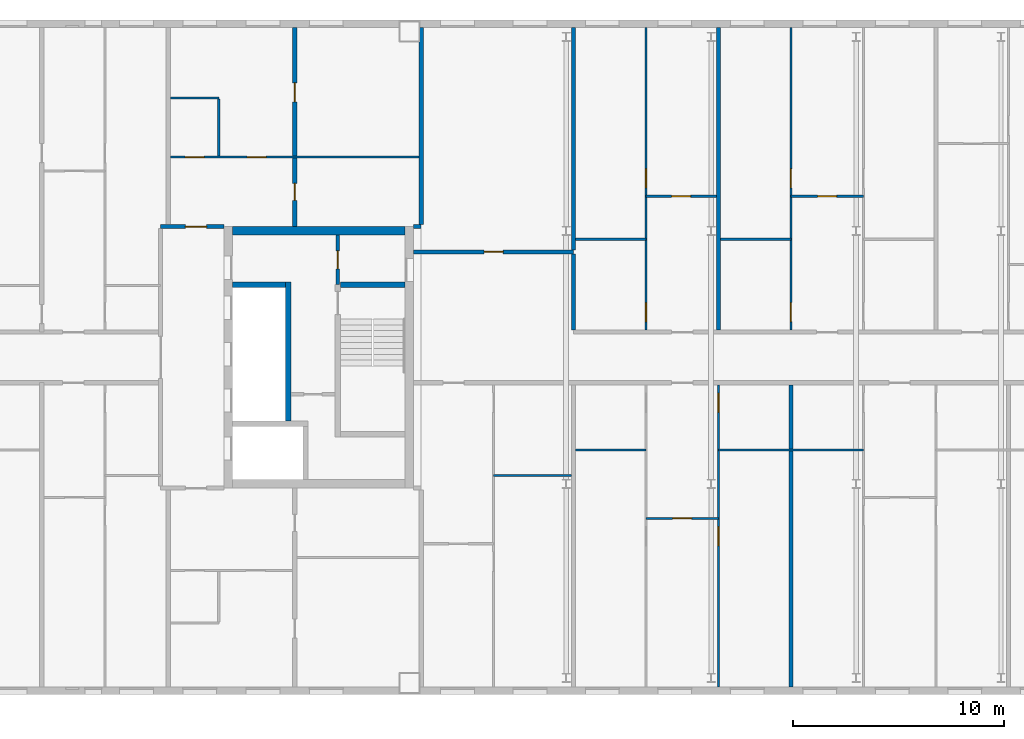
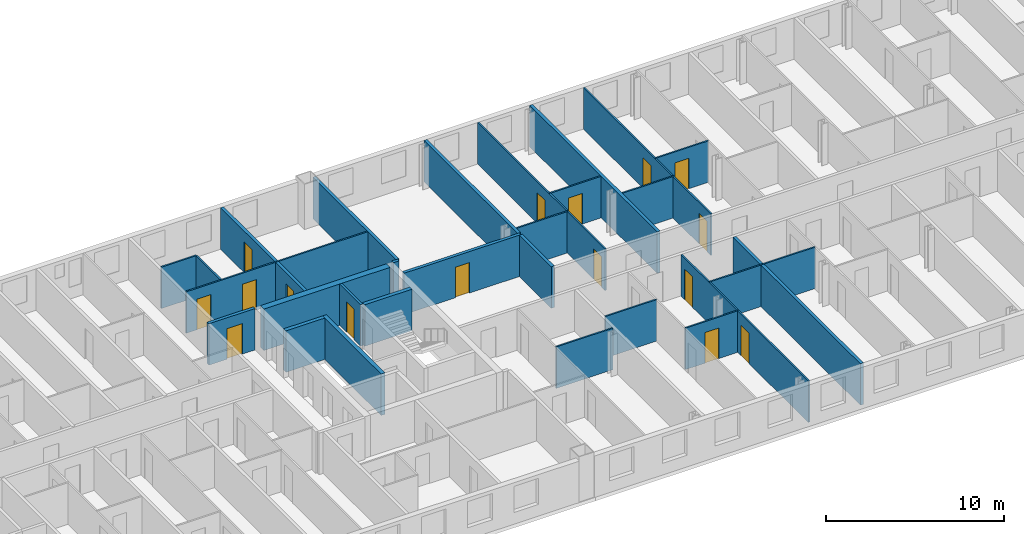
# One storey, part 9 of 19: 28 walls, 16 doors, 16 openings.
"""IFC4 building model written with IfcOpenShell, lengths in metres."""

from ifc_helpers import new_model, si_unit, direction, frame, frame_2d, origin, place, context, subcontext, project, spatial, rectangle, extrude, material, layer, layer_set, type_object, element, fill, save


model = new_model("IFC4")

# Units and contexts
model_context = context("Model", 3, precision=1e-05, world=origin(), true_north=direction((0.0, 1.0)))
body_context = subcontext(model_context, "Body", "Model", "MODEL_VIEW")
ifc_project = project(units=[si_unit("LENGTHUNIT", "METRE"), si_unit("AREAUNIT", "SQUARE_METRE"), si_unit("VOLUMEUNIT", "CUBIC_METRE"), si_unit("PLANEANGLEUNIT", "RADIAN"), si_unit("MASSUNIT", "GRAM", prefix="KILO")], contexts=[model_context])

# Site, building, storey
site_placement = place(None, origin())
site = spatial("IfcSite", under=ifc_project, at=site_placement, CompositionType="ELEMENT")
building_placement = place(site_placement, origin())
building = spatial("IfcBuilding", under=site, at=building_placement, Name="Tuart Gate Housing", CompositionType="ELEMENT")
storey_placement = place(building_placement, frame((0.0, 0.0, 227.60009765625)))
storey = spatial("IfcBuildingStorey", under=building, at=storey_placement, Name="L64", CompositionType="ELEMENT", Elevation=227.60009765625)

# Wall, opening, door
ifc_material_1 = material(Name="Plasterboard partition")
ifc_layer_1 = layer(ifc_material_1, 0.14990234375)
ifc_layer_set_1 = layer_set([ifc_layer_1], Name="Core partition 150")
wall_type_1 = type_object("IfcWallType", Name="Core partition 150", PredefinedType="PARTITIONING", material=ifc_layer_set_1)
wall_1_placement = place(storey_placement, frame((72.0400390625, 73.449951171875, 0.0), z_axis=(0.0, 0.0, 1.0), x_axis=(0.0, 1.0, 0.0)))
wall_1 = element("IfcWall", 1, at=wall_1_placement, inside=storey, type_object=wall_type_1, Name="Core partition AG.9", PredefinedType="PARTITIONING", context=body_context, shape_type="SweptSolid", body=[
    extrude(rectangle(XDim=2.35009765625, YDim=0.14990234375, at=frame_2d((1.175048828125, 0.0))), origin(), (0.0, 0.0, 1.0), 2.849853515625),
])
opening_1_placement = place(wall_1_placement, frame((0.75, 0.0, 0.0)))
opening_1 = element("IfcOpeningElement", 2, at=opening_1_placement, cuts=wall_1, Name="Opening D2297", PredefinedType="OPENING", context=body_context, shape_type="SweptSolid", body=[
    extrude(rectangle(XDim=0.85009765625, YDim=2.10009765625, at=frame_2d((0.425048828125, 1.050048828125))), frame((0.0, 0.0849609375, 0.0), z_axis=(0.0, -1.0, 0.0), x_axis=(1.0, 0.0, 0.0)), (0.0, 0.0, 1.0), 0.169921875),
])
ifc_material_2 = material(Name="Steel fire door", Category="steel")
door_type_1 = type_object("IfcDoorType", Name="Service door 850 x 2100 RH", OperationType="SINGLE_SWING_RIGHT", PredefinedType="DOOR", material=ifc_material_2)
door_1_placement = place(opening_1_placement, frame((0.85009765625, 0.0, 0.0), z_axis=(0.0, 0.0, 1.0), x_axis=(-1.0, 0.0, 0.0)))
door_1 = element("IfcDoor", 3, at=door_1_placement, inside=storey, type_object=door_type_1, Name="Service room door AG.ST", OperationType="SINGLE_SWING_RIGHT", OverallHeight=2.10009765625, OverallWidth=0.85009765625, PredefinedType="DOOR", context=body_context, shape_type="SweptSolid", body=[
    extrude(rectangle(XDim=0.85009765625, YDim=2.10009765625, at=frame_2d((0.425048828125, 1.050048828125))), frame((0.0, 0.025146484375, 0.0), z_axis=(0.0, -1.0, 0.0), x_axis=(1.0, 0.0, 0.0)), (0.0, 0.0, 1.0), 0.050048828125),
])
fill(opening_1, door_1)

# Walls
ifc_material_3 = material(Name="Concrete C40", Category="concrete")
ifc_layer_2 = layer(ifc_material_3, 0.25)
ifc_layer_set_2 = layer_set([ifc_layer_2], Name="Core wall 250 C40")
wall_type_2 = type_object("IfcWallType", Name="Core wall 250 C40", PredefinedType="SHEAR", material=ifc_layer_set_2)
wall_2_placement = place(storey_placement, frame((67.0400390625, 73.449951171875, 0.0), z_axis=(0.0, 0.0, 1.0), x_axis=(1.0, 0.0, 0.0)))
element("IfcWall", 4, at=wall_2_placement, inside=storey, type_object=wall_type_2, Name="Core wall AG.4", PredefinedType="SHEAR", context=body_context, shape_type="SweptSolid", body=[
    extrude(rectangle(XDim=2.52490234375, YDim=0.25, at=frame_2d((1.262451171875, 0.0))), origin(), (0.0, 0.0, 1.0), 2.849853515625),
])
wall_3_placement = place(storey_placement, frame((72.1650390625, 73.449951171875, 0.0), z_axis=(0.0, 0.0, 1.0), x_axis=(1.0, 0.0, 0.0)))
element("IfcWall", 5, at=wall_3_placement, inside=storey, type_object=wall_type_2, Name="Core wall AG.5", PredefinedType="SHEAR", context=body_context, shape_type="SweptSolid", body=[
    extrude(rectangle(XDim=3.074951171875, YDim=0.25, at=frame_2d((1.53759765625, 0.0))), origin(), (0.0, 0.0, 1.0), 2.849853515625),
])
wall_4_placement = place(storey_placement, frame((69.68994140625, 66.97509765625, 0.0), z_axis=(0.0, 0.0, 1.0), x_axis=(0.0, 1.0, 0.0)))
element("IfcWall", 6, at=wall_4_placement, inside=storey, type_object=wall_type_2, Name="Core wall AG.6", PredefinedType="SHEAR", context=body_context, shape_type="SweptSolid", body=[
    extrude(rectangle(XDim=6.599853515625, YDim=0.25, at=frame_2d((3.2998046875, 0.0))), origin(), (0.0, 0.0, 1.0), 2.849853515625),
])
ifc_material_4 = material(Name="Concrete C40", Category="concrete")
ifc_layer_3 = layer(ifc_material_4, 0.39990234375)
ifc_layer_set_3 = layer_set([ifc_layer_3], Name="Core wall 400 C40")
wall_type_3 = type_object("IfcWallType", Name="Core wall 400 C40", PredefinedType="SHEAR", material=ifc_layer_set_3)
wall_5_placement = place(storey_placement, frame((67.0400390625, 76.0, 0.0), z_axis=(0.0, 0.0, 1.0), x_axis=(1.0, 0.0, 0.0)))
element("IfcWall", 7, at=wall_5_placement, inside=storey, type_object=wall_type_3, Name="Core wall AG north", PredefinedType="SHEAR", context=body_context, shape_type="SweptSolid", body=[
    extrude(rectangle(XDim=8.199951171875, YDim=0.39990234375, at=frame_2d((4.10009765625, 0.0))), origin(), (0.0, 0.0, 1.0), 2.849853515625),
])

# Wall, opening, door
ifc_material_5 = material(Name="Concrete masonry 15 MPa", Category="masonry")
ifc_layer_4 = layer(ifc_material_5, 0.199951171875)
ifc_layer_set_4 = layer_set([ifc_layer_4], Name="Corridor wall masonry 200")
wall_type_4 = type_object("IfcWallType", Name="Corridor wall masonry 200", PredefinedType="PARTITIONING", material=ifc_layer_set_4)
wall_6_placement = place(storey_placement, frame((75.639892578125, 75.0, 0.0), z_axis=(0.0, 0.0, 1.0), x_axis=(1.0, 0.0, 0.0)))
wall_6 = element("IfcWall", 8, at=wall_6_placement, inside=storey, type_object=wall_type_4, Name="Corridor wall masonry 200", PredefinedType="PARTITIONING", context=body_context, shape_type="SweptSolid", body=[
    extrude(rectangle(XDim=7.585205078125, YDim=0.199951171875, at=frame_2d((3.79248046875, 0.0))), origin(), (0.0, 0.0, 1.0), 2.849853515625),
])
opening_2_placement = place(wall_6_placement, frame((3.342529296875, 0.0, 0.0)))
opening_2 = element("IfcOpeningElement", 9, at=opening_2_placement, cuts=wall_6, Name="Opening D2352", PredefinedType="OPENING", context=body_context, shape_type="SweptSolid", body=[
    extrude(rectangle(XDim=0.89990234375, YDim=2.10009765625, at=frame_2d((0.449951171875, 1.050048828125))), frame((0.0, 0.10986328125, 0.0), z_axis=(0.0, -1.0, 0.0), x_axis=(1.0, 0.0, 0.0)), (0.0, 0.0, 1.0), 0.219970703125),
])
ifc_material_6 = material(Name="Timber door leaf in steel frame", Category="steel")
door_type_2 = type_object("IfcDoorType", Name="Internal door 900", OperationType="SINGLE_SWING_LEFT", PredefinedType="DOOR", material=ifc_material_6)
door_2_placement = place(opening_2_placement, origin())
door_2 = element("IfcDoor", 10, at=door_2_placement, inside=storey, type_object=door_type_2, Name="Internal door", OperationType="SINGLE_SWING_LEFT", OverallHeight=2.10009765625, OverallWidth=0.89990234375, PredefinedType="DOOR", context=body_context, shape_type="SweptSolid", body=[
    extrude(rectangle(XDim=0.89990234375, YDim=2.10009765625, at=frame_2d((0.449951171875, 1.050048828125))), frame((0.0, 0.02490234375, 0.0), z_axis=(0.0, -1.0, 0.0), x_axis=(1.0, 0.0, 0.0)), (0.0, 0.0, 1.0), 0.050048828125),
])
fill(opening_2, door_2)

# Wall
wall_7_placement = place(storey_placement, frame((83.22509765625, 71.300048828125, 0.0), z_axis=(0.0, 0.0, 1.0), x_axis=(0.0, 1.0, 0.0)))
element("IfcWall", 11, at=wall_7_placement, inside=storey, type_object=wall_type_4, Name="Corridor wall masonry 200", PredefinedType="PARTITIONING", context=body_context, shape_type="SweptSolid", body=[
    extrude(rectangle(XDim=3.599853515625, YDim=0.199951171875, at=frame_2d((1.7998046875, 0.0))), origin(), (0.0, 0.0, 1.0), 2.849853515625),
])

# Wall, opening, door
ifc_material_7 = material(Name="Concrete masonry 15 MPa", Category="masonry")
ifc_layer_5 = layer(ifc_material_7, 0.199951171875)
ifc_layer_set_5 = layer_set([ifc_layer_5], Name="Enclosure wall masonry 200")
wall_type_5 = type_object("IfcWallType", Name="Enclosure wall masonry 200", PredefinedType="PARTITIONING", material=ifc_layer_set_5)
wall_8_placement = place(storey_placement, frame((63.639892578125, 76.199951171875, 0.0), z_axis=(0.0, 0.0, 1.0), x_axis=(1.0, 0.0, 0.0)))
wall_8 = element("IfcWall", 12, at=wall_8_placement, inside=storey, type_object=wall_type_5, Name="Enclosure wall masonry 200", PredefinedType="PARTITIONING", context=body_context, shape_type="SweptSolid", body=[
    extrude(rectangle(XDim=3.0, YDim=0.199951171875, at=frame_2d((1.5, 0.0))), origin(), (0.0, 0.0, 1.0), 2.849853515625),
])
opening_3_placement = place(wall_8_placement, frame((1.179931640625, 0.0, 0.0)))
opening_3 = element("IfcOpeningElement", 13, at=opening_3_placement, cuts=wall_8, Name="Opening D2296", PredefinedType="OPENING", context=body_context, shape_type="SweptSolid", body=[
    extrude(rectangle(XDim=1.0, YDim=2.10009765625, at=frame_2d((0.5, 1.050048828125))), frame((0.0, 0.10986328125, 0.0), z_axis=(0.0, -1.0, 0.0), x_axis=(1.0, 0.0, 0.0)), (0.0, 0.0, 1.0), 0.219970703125),
])
ifc_material_8 = material(Name="Timber door leaf in steel frame", Category="steel")
door_type_3 = type_object("IfcDoorType", Name="Flat entrance door 1000", OperationType="SINGLE_SWING_LEFT", PredefinedType="DOOR", material=ifc_material_8)
door_3_placement = place(opening_3_placement, origin())
door_3 = element("IfcDoor", 14, at=door_3_placement, inside=storey, type_object=door_type_3, Name="Flat entrance door", OperationType="SINGLE_SWING_LEFT", OverallHeight=2.10009765625, OverallWidth=1.0, PredefinedType="DOOR", context=body_context, shape_type="SweptSolid", body=[
    extrude(rectangle(XDim=1.0, YDim=2.10009765625, at=frame_2d((0.5, 1.050048828125))), frame((0.0, 0.02490234375, 0.0), z_axis=(0.0, -1.0, 0.0), x_axis=(1.0, 0.0, 0.0)), (0.0, 0.0, 1.0), 0.050048828125),
])
fill(opening_3, door_3)

ifc_material_9 = material(Name="Gypsum board on steel studs", Category="steel")
ifc_layer_6 = layer(ifc_material_9, 0.10009765625)
ifc_layer_set_6 = layer_set([ifc_layer_6], Name="Partition 100")
wall_type_6 = type_object("IfcWallType", Name="Partition 100", PredefinedType="PARTITIONING", material=ifc_layer_set_6)
wall_9_placement = place(storey_placement, frame((86.662109375, 62.360107421875, 0.0), z_axis=(0.0, 0.0, 1.0), x_axis=(1.0, 0.0, 0.0)))
wall_9 = element("IfcWall", 15, at=wall_9_placement, inside=storey, type_object=wall_type_6, Name="Partition 100", PredefinedType="PARTITIONING", context=body_context, shape_type="SweptSolid", body=[
    extrude(rectangle(XDim=3.43798828125, YDim=0.10009765625, at=frame_2d((1.718994140625, 0.0))), origin(), (0.0, 0.0, 1.0), 2.849853515625),
])
opening_4_placement = place(wall_9_placement, frame((1.26904296875, 0.0, 0.0)))
opening_4 = element("IfcOpeningElement", 16, at=opening_4_placement, cuts=wall_9, Name="Opening D2367", PredefinedType="OPENING", context=body_context, shape_type="SweptSolid", body=[
    extrude(rectangle(XDim=0.89990234375, YDim=2.10009765625, at=frame_2d((0.449951171875, 1.050048828125))), frame((0.0, 0.06005859375, 0.0), z_axis=(0.0, -1.0, 0.0), x_axis=(1.0, 0.0, 0.0)), (0.0, 0.0, 1.0), 0.1201171875),
])
door_4_placement = place(opening_4_placement, origin())
door_4 = element("IfcDoor", 17, at=door_4_placement, inside=storey, type_object=door_type_2, Name="Internal door", OperationType="SINGLE_SWING_LEFT", OverallHeight=2.10009765625, OverallWidth=0.89990234375, PredefinedType="DOOR", context=body_context, shape_type="SweptSolid", body=[
    extrude(rectangle(XDim=0.89990234375, YDim=2.10009765625, at=frame_2d((0.449951171875, 1.050048828125))), frame((0.0, 0.02490234375, 0.0), z_axis=(0.0, -1.0, 0.0), x_axis=(1.0, 0.0, 0.0)), (0.0, 0.0, 1.0), 0.050048828125),
])
fill(opening_4, door_4)

# Walls
wall_10_placement = place(storey_placement, frame((79.43798828125, 64.39990234375, 0.0), z_axis=(0.0, 0.0, 1.0), x_axis=(1.0, 0.0, 0.0)))
element("IfcWall", 18, at=wall_10_placement, inside=storey, type_object=wall_type_6, Name="Partition 100", PredefinedType="PARTITIONING", context=body_context, shape_type="SweptSolid", body=[
    extrude(rectangle(XDim=3.68701171875, YDim=0.10009765625, at=frame_2d((1.843505859375, 0.0))), origin(), (0.0, 0.0, 1.0), 2.849853515625),
])
wall_11_placement = place(storey_placement, frame((83.324951171875, 65.60009765625, 0.0), z_axis=(0.0, 0.0, 1.0), x_axis=(1.0, 0.0, 0.0)))
element("IfcWall", 19, at=wall_11_placement, inside=storey, type_object=wall_type_6, Name="Partition 100", PredefinedType="PARTITIONING", context=body_context, shape_type="SweptSolid", body=[
    extrude(rectangle(XDim=3.337158203125, YDim=0.10009765625, at=frame_2d((1.66845703125, 0.0))), origin(), (0.0, 0.0, 1.0), 2.849853515625),
])
wall_12_placement = place(storey_placement, frame((90.10009765625, 65.60009765625, 0.0), z_axis=(0.0, 0.0, 1.0), x_axis=(1.0, 0.0, 0.0)))
element("IfcWall", 20, at=wall_12_placement, inside=storey, type_object=wall_type_6, Name="Partition 100", PredefinedType="PARTITIONING", context=body_context, shape_type="SweptSolid", body=[
    extrude(rectangle(XDim=6.875, YDim=0.10009765625, at=frame_2d((3.4375, 0.0))), origin(), (0.0, 0.0, 1.0), 2.849853515625),
])
for number, where, z_axis, x_axis, name in (
    (21, (83.324951171875, 75.60009765625, 0.0), (0.0, 0.0, 1.0), (1.0, 0.0, 0.0), "Partition 100"),
    (22, (90.199951171875, 75.60009765625, 0.0), (0.0, 0.0, 1.0), (1.0, 0.0, 0.0), "Partition 100"),
):
    element("IfcWall", number, at=place(storey_placement, frame(where, z_axis=z_axis, x_axis=x_axis)), inside=storey, type_object=wall_type_6, Name=name, PredefinedType="PARTITIONING", context=body_context, shape_type="SweptSolid", body=[
        extrude(rectangle(XDim=3.337158203125, YDim=0.10009765625, at=frame_2d((1.66845703125, 0.0))), origin(), (0.0, 0.0, 1.0), 2.849853515625),
    ])

# Wall, opening, door
wall_13_placement = place(storey_placement, frame((86.662109375, 77.639892578125, 0.0), z_axis=(0.0, 0.0, 1.0), x_axis=(1.0, 0.0, 0.0)))
wall_13 = element("IfcWall", 23, at=wall_13_placement, inside=storey, type_object=wall_type_6, Name="Partition 100", PredefinedType="PARTITIONING", context=body_context, shape_type="SweptSolid", body=[
    extrude(rectangle(XDim=3.337890625, YDim=0.10009765625, at=frame_2d((1.6689453125, 0.0))), origin(), (0.0, 0.0, 1.0), 2.849853515625),
])
opening_5_placement = place(wall_13_placement, frame((1.218994140625, 0.0, 0.0)))
opening_5 = element("IfcOpeningElement", 24, at=opening_5_placement, cuts=wall_13, Name="Opening D2350", PredefinedType="OPENING", context=body_context, shape_type="SweptSolid", body=[
    extrude(rectangle(XDim=0.89990234375, YDim=2.10009765625, at=frame_2d((0.449951171875, 1.050048828125))), frame((0.0, 0.06005859375, 0.0), z_axis=(0.0, -1.0, 0.0), x_axis=(1.0, 0.0, 0.0)), (0.0, 0.0, 1.0), 0.1201171875),
])
ifc_material_10 = material(Name="Timber door leaf in steel frame", Category="steel")
door_type_4 = type_object("IfcDoorType", Name="Internal door 900 RH", OperationType="SINGLE_SWING_RIGHT", PredefinedType="DOOR", material=ifc_material_10)
door_5_placement = place(opening_5_placement, frame((0.89990234375, 0.0, 0.0), z_axis=(0.0, 0.0, 1.0), x_axis=(-1.0, 0.0, 0.0)))
door_5 = element("IfcDoor", 25, at=door_5_placement, inside=storey, type_object=door_type_4, Name="Internal door", OperationType="SINGLE_SWING_RIGHT", OverallHeight=2.10009765625, OverallWidth=0.89990234375, PredefinedType="DOOR", context=body_context, shape_type="SweptSolid", body=[
    extrude(rectangle(XDim=0.89990234375, YDim=2.10009765625, at=frame_2d((0.449951171875, 1.050048828125))), frame((0.0, 0.025146484375, 0.0), z_axis=(0.0, -1.0, 0.0), x_axis=(1.0, 0.0, 0.0)), (0.0, 0.0, 1.0), 0.050048828125),
])
fill(opening_5, door_5)

wall_14_placement = place(storey_placement, frame((93.537109375, 77.639892578125, 0.0), z_axis=(0.0, 0.0, 1.0), x_axis=(1.0, 0.0, 0.0)))
wall_14 = element("IfcWall", 26, at=wall_14_placement, inside=storey, type_object=wall_type_6, Name="Partition 100", PredefinedType="PARTITIONING", context=body_context, shape_type="SweptSolid", body=[
    extrude(rectangle(XDim=3.43798828125, YDim=0.10009765625, at=frame_2d((1.718994140625, 0.0))), origin(), (0.0, 0.0, 1.0), 2.849853515625),
])
opening_6_placement = place(wall_14_placement, frame((1.26904296875, 0.0, 0.0)))
opening_6 = element("IfcOpeningElement", 27, at=opening_6_placement, cuts=wall_14, Name="Opening D2351", PredefinedType="OPENING", context=body_context, shape_type="SweptSolid", body=[
    extrude(rectangle(XDim=0.89990234375, YDim=2.10009765625, at=frame_2d((0.449951171875, 1.050048828125))), frame((0.0, 0.06005859375, 0.0), z_axis=(0.0, -1.0, 0.0), x_axis=(1.0, 0.0, 0.0)), (0.0, 0.0, 1.0), 0.1201171875),
])
door_6_placement = place(opening_6_placement, frame((0.89990234375, 0.0, 0.0), z_axis=(0.0, 0.0, 1.0), x_axis=(-1.0, 0.0, 0.0)))
door_6 = element("IfcDoor", 28, at=door_6_placement, inside=storey, type_object=door_type_4, Name="Internal door", OperationType="SINGLE_SWING_RIGHT", OverallHeight=2.10009765625, OverallWidth=0.89990234375, PredefinedType="DOOR", context=body_context, shape_type="SweptSolid", body=[
    extrude(rectangle(XDim=0.89990234375, YDim=2.10009765625, at=frame_2d((0.449951171875, 1.050048828125))), frame((0.0, 0.025146484375, 0.0), z_axis=(0.0, -1.0, 0.0), x_axis=(1.0, 0.0, 0.0)), (0.0, 0.0, 1.0), 0.050048828125),
])
fill(opening_6, door_6)

# Wall, openings, doors
wall_15_placement = place(storey_placement, frame((64.10009765625, 79.5, 0.0), z_axis=(0.0, 0.0, 1.0), x_axis=(1.0, 0.0, 0.0)))
wall_15 = element("IfcWall", 29, at=wall_15_placement, inside=storey, type_object=wall_type_6, Name="Partition 100", PredefinedType="PARTITIONING", context=body_context, shape_type="SweptSolid", body=[
    extrude(rectangle(XDim=11.7998046875, YDim=0.10009765625, at=frame_2d((5.89990234375, 0.0))), origin(), (0.0, 0.0, 1.0), 2.849853515625),
])
opening_7_placement = place(wall_15_placement, frame((3.64990234375, 0.0, 0.0)))
opening_7 = element("IfcOpeningElement", 30, at=opening_7_placement, cuts=wall_15, Name="Opening D2284", PredefinedType="OPENING", context=body_context, shape_type="SweptSolid", body=[
    extrude(rectangle(XDim=0.89990234375, YDim=2.10009765625, at=frame_2d((0.449951171875, 1.050048828125))), frame((0.0, 0.06005859375, 0.0), z_axis=(0.0, -1.0, 0.0), x_axis=(1.0, 0.0, 0.0)), (0.0, 0.0, 1.0), 0.1201171875),
])
opening_8_placement = place(wall_15_placement, frame((0.699951171875, 0.0, 0.0)))
opening_8 = element("IfcOpeningElement", 31, at=opening_8_placement, cuts=wall_15, Name="Opening D2283", PredefinedType="OPENING", context=body_context, shape_type="SweptSolid", body=[
    extrude(rectangle(XDim=0.89990234375, YDim=2.10009765625, at=frame_2d((0.449951171875, 1.050048828125))), frame((0.0, 0.06005859375, 0.0), z_axis=(0.0, -1.0, 0.0), x_axis=(1.0, 0.0, 0.0)), (0.0, 0.0, 1.0), 0.1201171875),
])
ifc_material_11 = material(Name="Timber door leaf in steel frame", Category="steel")
door_type_5 = type_object("IfcDoorType", Name="Bathroom door 900 RH", OperationType="SINGLE_SWING_RIGHT", PredefinedType="DOOR", material=ifc_material_11)
door_7_placement = place(opening_8_placement, origin())
door_7 = element("IfcDoor", 32, at=door_7_placement, inside=storey, type_object=door_type_5, Name="Bathroom door", OperationType="SINGLE_SWING_RIGHT", OverallHeight=2.10009765625, OverallWidth=0.89990234375, PredefinedType="DOOR", context=body_context, shape_type="SweptSolid", body=[
    extrude(rectangle(XDim=0.89990234375, YDim=2.10009765625, at=frame_2d((0.449951171875, 1.050048828125))), frame((0.0, 0.02490234375, 0.0), z_axis=(0.0, -1.0, 0.0), x_axis=(1.0, 0.0, 0.0)), (0.0, 0.0, 1.0), 0.050048828125),
])
fill(opening_8, door_7)
door_8_placement = place(opening_7_placement, frame((0.89990234375, 0.0, 0.0), z_axis=(0.0, 0.0, 1.0), x_axis=(-1.0, 0.0, 0.0)))
door_8 = element("IfcDoor", 33, at=door_8_placement, inside=storey, type_object=door_type_2, Name="Internal door", OperationType="SINGLE_SWING_LEFT", OverallHeight=2.10009765625, OverallWidth=0.89990234375, PredefinedType="DOOR", context=body_context, shape_type="SweptSolid", body=[
    extrude(rectangle(XDim=0.89990234375, YDim=2.10009765625, at=frame_2d((0.449951171875, 1.050048828125))), frame((0.0, 0.025146484375, 0.0), z_axis=(0.0, -1.0, 0.0), x_axis=(1.0, 0.0, 0.0)), (0.0, 0.0, 1.0), 0.050048828125),
])
fill(opening_7, door_8)

# Walls
wall_16_placement = place(storey_placement, frame((64.10009765625, 82.300048828125, 0.0), z_axis=(0.0, 0.0, 1.0), x_axis=(1.0, 0.0, 0.0)))
element("IfcWall", 34, at=wall_16_placement, inside=storey, type_object=wall_type_6, Name="Partition 100", PredefinedType="PARTITIONING", context=body_context, shape_type="SweptSolid", body=[
    extrude(rectangle(XDim=2.2998046875, YDim=0.10009765625, at=frame_2d((1.14990234375, 0.0))), origin(), (0.0, 0.0, 1.0), 2.849853515625),
])
wall_17_placement = place(storey_placement, frame((66.39990234375, 79.550048828125, 0.0), z_axis=(0.0, 0.0, 1.0), x_axis=(0.0, 1.0, 0.0)))
element("IfcWall", 35, at=wall_17_placement, inside=storey, type_object=wall_type_6, Name="Partition 100", PredefinedType="PARTITIONING", context=body_context, shape_type="SweptSolid", body=[
    extrude(rectangle(XDim=2.699951171875, YDim=0.10009765625, at=frame_2d((1.35009765625, 0.0))), origin(), (0.0, 0.0, 1.0), 2.849853515625),
])

# Wall, openings, doors
wall_18_placement = place(storey_placement, frame((86.662109375, 71.300048828125, 0.0), z_axis=(0.0, 0.0, 1.0), x_axis=(0.0, 1.0, 0.0)))
wall_18 = element("IfcWall", 36, at=wall_18_placement, inside=storey, type_object=wall_type_6, Name="Partition 100", PredefinedType="PARTITIONING", context=body_context, shape_type="SweptSolid", body=[
    extrude(rectangle(XDim=14.33984375, YDim=0.10009765625, at=frame_2d((7.169921875, 0.0))), origin(), (0.0, 0.0, 1.0), 2.849853515625),
])
opening_9_placement = place(wall_18_placement, frame((6.739990234375, 0.0, 0.0)))
opening_9 = element("IfcOpeningElement", 37, at=opening_9_placement, cuts=wall_18, Name="Opening D2337", PredefinedType="OPENING", context=body_context, shape_type="SweptSolid", body=[
    extrude(rectangle(XDim=0.89990234375, YDim=2.10009765625, at=frame_2d((0.449951171875, 1.050048828125))), frame((0.0, 0.06005859375, 0.0), z_axis=(0.0, -1.0, 0.0), x_axis=(1.0, 0.0, 0.0)), (0.0, 0.0, 1.0), 0.1201171875),
])
opening_10_placement = place(wall_18_placement, frame((0.39990234375, 0.0, 0.0)))
opening_10 = element("IfcOpeningElement", 38, at=opening_10_placement, cuts=wall_18, Name="Opening D2336", PredefinedType="OPENING", context=body_context, shape_type="SweptSolid", body=[
    extrude(rectangle(XDim=0.89990234375, YDim=2.10009765625, at=frame_2d((0.449951171875, 1.050048828125))), frame((0.0, 0.06005859375, 0.0), z_axis=(0.0, -1.0, 0.0), x_axis=(1.0, 0.0, 0.0)), (0.0, 0.0, 1.0), 0.1201171875),
])
ifc_material_12 = material(Name="Timber door leaf in steel frame", Category="steel")
door_type_6 = type_object("IfcDoorType", Name="Bathroom door 900", OperationType="SINGLE_SWING_LEFT", PredefinedType="DOOR", material=ifc_material_12)
door_9_placement = place(opening_10_placement, origin())
door_9 = element("IfcDoor", 39, at=door_9_placement, inside=storey, type_object=door_type_6, Name="Bathroom door", OperationType="SINGLE_SWING_LEFT", OverallHeight=2.10009765625, OverallWidth=0.89990234375, PredefinedType="DOOR", context=body_context, shape_type="SweptSolid", body=[
    extrude(rectangle(XDim=0.89990234375, YDim=2.10009765625, at=frame_2d((0.449951171875, 1.050048828125))), frame((0.0, 0.02490234375, 0.0), z_axis=(0.0, -1.0, 0.0), x_axis=(1.0, 0.0, 0.0)), (0.0, 0.0, 1.0), 0.050048828125),
])
fill(opening_10, door_9)
door_10_placement = place(opening_9_placement, origin())
door_10 = element("IfcDoor", 40, at=door_10_placement, inside=storey, type_object=door_type_2, Name="Internal door", OperationType="SINGLE_SWING_LEFT", OverallHeight=2.10009765625, OverallWidth=0.89990234375, PredefinedType="DOOR", context=body_context, shape_type="SweptSolid", body=[
    extrude(rectangle(XDim=0.89990234375, YDim=2.10009765625, at=frame_2d((0.449951171875, 1.050048828125))), frame((0.0, 0.02490234375, 0.0), z_axis=(0.0, -1.0, 0.0), x_axis=(1.0, 0.0, 0.0)), (0.0, 0.0, 1.0), 0.050048828125),
])
fill(opening_9, door_10)

wall_19_placement = place(storey_placement, frame((90.10009765625, 54.360107421875, 0.0), z_axis=(0.0, 0.0, 1.0), x_axis=(0.0, 1.0, 0.0)))
wall_19 = element("IfcWall", 41, at=wall_19_placement, inside=storey, type_object=wall_type_6, Name="Partition 100", PredefinedType="PARTITIONING", context=body_context, shape_type="SweptSolid", body=[
    extrude(rectangle(XDim=14.33984375, YDim=0.10009765625, at=frame_2d((7.169921875, 0.0))), origin(), (0.0, 0.0, 1.0), 2.849853515625),
])
opening_11_placement = place(wall_19_placement, frame((6.699951171875, 0.0, 0.0)))
opening_11 = element("IfcOpeningElement", 42, at=opening_11_placement, cuts=wall_19, Name="Opening D2375", PredefinedType="OPENING", context=body_context, shape_type="SweptSolid", body=[
    extrude(rectangle(XDim=0.89990234375, YDim=2.10009765625, at=frame_2d((0.449951171875, 1.050048828125))), frame((0.0, 0.06005859375, 0.0), z_axis=(0.0, -1.0, 0.0), x_axis=(1.0, 0.0, 0.0)), (0.0, 0.0, 1.0), 0.1201171875),
])
opening_12_placement = place(wall_19_placement, frame((13.0400390625, 0.0, 0.0)))
opening_12 = element("IfcOpeningElement", 43, at=opening_12_placement, cuts=wall_19, Name="Opening D2374", PredefinedType="OPENING", context=body_context, shape_type="SweptSolid", body=[
    extrude(rectangle(XDim=0.89990234375, YDim=2.10009765625, at=frame_2d((0.449951171875, 1.050048828125))), frame((0.0, 0.06005859375, 0.0), z_axis=(0.0, -1.0, 0.0), x_axis=(1.0, 0.0, 0.0)), (0.0, 0.0, 1.0), 0.1201171875),
])
door_11_placement = place(opening_12_placement, frame((0.89990234375, 0.0, 0.0), z_axis=(0.0, 0.0, 1.0), x_axis=(-1.0, 0.0, 0.0)))
door_11 = element("IfcDoor", 44, at=door_11_placement, inside=storey, type_object=door_type_6, Name="Bathroom door", OperationType="SINGLE_SWING_LEFT", OverallHeight=2.10009765625, OverallWidth=0.89990234375, PredefinedType="DOOR", context=body_context, shape_type="SweptSolid", body=[
    extrude(rectangle(XDim=0.89990234375, YDim=2.10009765625, at=frame_2d((0.449951171875, 1.050048828125))), frame((0.0, 0.025146484375, 0.0), z_axis=(0.0, -1.0, 0.0), x_axis=(1.0, 0.0, 0.0)), (0.0, 0.0, 1.0), 0.050048828125),
])
fill(opening_12, door_11)
door_12_placement = place(opening_11_placement, frame((0.89990234375, 0.0, 0.0), z_axis=(0.0, 0.0, 1.0), x_axis=(-1.0, 0.0, 0.0)))
door_12 = element("IfcDoor", 45, at=door_12_placement, inside=storey, type_object=door_type_2, Name="Internal door", OperationType="SINGLE_SWING_LEFT", OverallHeight=2.10009765625, OverallWidth=0.89990234375, PredefinedType="DOOR", context=body_context, shape_type="SweptSolid", body=[
    extrude(rectangle(XDim=0.89990234375, YDim=2.10009765625, at=frame_2d((0.449951171875, 1.050048828125))), frame((0.0, 0.025146484375, 0.0), z_axis=(0.0, -1.0, 0.0), x_axis=(1.0, 0.0, 0.0)), (0.0, 0.0, 1.0), 0.050048828125),
])
fill(opening_11, door_12)

wall_20_placement = place(storey_placement, frame((93.537109375, 71.300048828125, 0.0), z_axis=(0.0, 0.0, 1.0), x_axis=(0.0, 1.0, 0.0)))
wall_20 = element("IfcWall", 46, at=wall_20_placement, inside=storey, type_object=wall_type_6, Name="Partition 100", PredefinedType="PARTITIONING", context=body_context, shape_type="SweptSolid", body=[
    extrude(rectangle(XDim=14.33984375, YDim=0.10009765625, at=frame_2d((7.169921875, 0.0))), origin(), (0.0, 0.0, 1.0), 2.849853515625),
])
opening_13_placement = place(wall_20_placement, frame((6.739990234375, 0.0, 0.0)))
opening_13 = element("IfcOpeningElement", 47, at=opening_13_placement, cuts=wall_20, Name="Opening D2339", PredefinedType="OPENING", context=body_context, shape_type="SweptSolid", body=[
    extrude(rectangle(XDim=0.89990234375, YDim=2.10009765625, at=frame_2d((0.449951171875, 1.050048828125))), frame((0.0, 0.06005859375, 0.0), z_axis=(0.0, -1.0, 0.0), x_axis=(1.0, 0.0, 0.0)), (0.0, 0.0, 1.0), 0.1201171875),
])
opening_14_placement = place(wall_20_placement, frame((0.39990234375, 0.0, 0.0)))
opening_14 = element("IfcOpeningElement", 48, at=opening_14_placement, cuts=wall_20, Name="Opening D2338", PredefinedType="OPENING", context=body_context, shape_type="SweptSolid", body=[
    extrude(rectangle(XDim=0.89990234375, YDim=2.10009765625, at=frame_2d((0.449951171875, 1.050048828125))), frame((0.0, 0.06005859375, 0.0), z_axis=(0.0, -1.0, 0.0), x_axis=(1.0, 0.0, 0.0)), (0.0, 0.0, 1.0), 0.1201171875),
])
door_13_placement = place(opening_14_placement, origin())
door_13 = element("IfcDoor", 49, at=door_13_placement, inside=storey, type_object=door_type_6, Name="Bathroom door", OperationType="SINGLE_SWING_LEFT", OverallHeight=2.10009765625, OverallWidth=0.89990234375, PredefinedType="DOOR", context=body_context, shape_type="SweptSolid", body=[
    extrude(rectangle(XDim=0.89990234375, YDim=2.10009765625, at=frame_2d((0.449951171875, 1.050048828125))), frame((0.0, 0.02490234375, 0.0), z_axis=(0.0, -1.0, 0.0), x_axis=(1.0, 0.0, 0.0)), (0.0, 0.0, 1.0), 0.050048828125),
])
fill(opening_14, door_13)
door_14_placement = place(opening_13_placement, origin())
door_14 = element("IfcDoor", 50, at=door_14_placement, inside=storey, type_object=door_type_2, Name="Internal door", OperationType="SINGLE_SWING_LEFT", OverallHeight=2.10009765625, OverallWidth=0.89990234375, PredefinedType="DOOR", context=body_context, shape_type="SweptSolid", body=[
    extrude(rectangle(XDim=0.89990234375, YDim=2.10009765625, at=frame_2d((0.449951171875, 1.050048828125))), frame((0.0, 0.02490234375, 0.0), z_axis=(0.0, -1.0, 0.0), x_axis=(1.0, 0.0, 0.0)), (0.0, 0.0, 1.0), 0.050048828125),
])
fill(opening_13, door_14)

ifc_material_13 = material(Name="Concrete C40", Category="concrete")
ifc_layer_7 = layer(ifc_material_13, 0.199951171875)
ifc_layer_set_7 = layer_set([ifc_layer_7], Name="Party wall concrete C40 200")
wall_type_7 = type_object("IfcWallType", Name="Party wall concrete C40 200", PredefinedType="SOLIDWALL", material=ifc_layer_set_7)
wall_21_placement = place(storey_placement, frame((70.0, 76.199951171875, 0.0), z_axis=(0.0, 0.0, 1.0), x_axis=(0.0, 1.0, 0.0)))
wall_21 = element("IfcWall", 51, at=wall_21_placement, inside=storey, type_object=wall_type_7, Name="Party wall concrete C40 200", PredefinedType="SOLIDWALL", context=body_context, shape_type="SweptSolid", body=[
    extrude(rectangle(XDim=9.43994140625, YDim=0.199951171875, at=frame_2d((4.719970703125, 0.0))), origin(), (0.0, 0.0, 1.0), 2.849853515625),
])
opening_15_placement = place(wall_21_placement, frame((5.919921875, 0.0, 0.0)))
opening_15 = element("IfcOpeningElement", 52, at=opening_15_placement, cuts=wall_21, Name="Opening D2279", PredefinedType="OPENING", context=body_context, shape_type="SweptSolid", body=[
    extrude(rectangle(XDim=0.89990234375, YDim=2.10009765625, at=frame_2d((0.449951171875, 1.050048828125))), frame((0.0, 0.10986328125, 0.0), z_axis=(0.0, -1.0, 0.0), x_axis=(1.0, 0.0, 0.0)), (0.0, 0.0, 1.0), 0.219970703125),
])
opening_16_placement = place(wall_21_placement, frame((1.25, 0.0, 0.0)))
opening_16 = element("IfcOpeningElement", 53, at=opening_16_placement, cuts=wall_21, Name="Opening D2280", PredefinedType="OPENING", context=body_context, shape_type="SweptSolid", body=[
    extrude(rectangle(XDim=0.800048828125, YDim=2.10009765625, at=frame_2d((0.39990234375, 1.050048828125))), frame((0.0, 0.10986328125, 0.0), z_axis=(0.0, -1.0, 0.0), x_axis=(1.0, 0.0, 0.0)), (0.0, 0.0, 1.0), 0.219970703125),
])
door_15_placement = place(opening_15_placement, frame((0.89990234375, 0.0, 0.0), z_axis=(0.0, 0.0, 1.0), x_axis=(-1.0, 0.0, 0.0)))
door_15 = element("IfcDoor", 54, at=door_15_placement, inside=storey, type_object=door_type_4, Name="Internal door", OperationType="SINGLE_SWING_RIGHT", OverallHeight=2.10009765625, OverallWidth=0.89990234375, PredefinedType="DOOR", context=body_context, shape_type="SweptSolid", body=[
    extrude(rectangle(XDim=0.89990234375, YDim=2.10009765625, at=frame_2d((0.449951171875, 1.050048828125))), frame((0.0, 0.025146484375, 0.0), z_axis=(0.0, -1.0, 0.0), x_axis=(1.0, 0.0, 0.0)), (0.0, 0.0, 1.0), 0.050048828125),
])
fill(opening_15, door_15)
ifc_material_14 = material(Name="Timber door leaf in steel frame", Category="steel")
door_type_7 = type_object("IfcDoorType", Name="Store door 800 RH", OperationType="SINGLE_SWING_RIGHT", PredefinedType="DOOR", material=ifc_material_14)
door_16_placement = place(opening_16_placement, frame((0.800048828125, 0.0, 0.0), z_axis=(0.0, 0.0, 1.0), x_axis=(-1.0, 0.0, 0.0)))
door_16 = element("IfcDoor", 55, at=door_16_placement, inside=storey, type_object=door_type_7, Name="Store door", OperationType="SINGLE_SWING_RIGHT", OverallHeight=2.10009765625, OverallWidth=0.800048828125, PredefinedType="DOOR", context=body_context, shape_type="SweptSolid", body=[
    extrude(rectangle(XDim=0.800048828125, YDim=2.10009765625, at=frame_2d((0.400146484375, 1.050048828125))), frame((0.0, 0.025146484375, 0.0), z_axis=(0.0, -1.0, 0.0), x_axis=(1.0, 0.0, 0.0)), (0.0, 0.0, 1.0), 0.050048828125),
])
fill(opening_16, door_16)

# Walls
ifc_material_15 = material(Name="Concrete masonry 15 MPa", Category="masonry")
ifc_layer_8 = layer(ifc_material_15, 0.199951171875)
ifc_layer_set_8 = layer_set([ifc_layer_8], Name="Party wall masonry 200")
wall_type_8 = type_object("IfcWallType", Name="Party wall masonry 200", PredefinedType="PARTITIONING", material=ifc_layer_set_8)
wall_22_placement = place(storey_placement, frame((75.639892578125, 76.199951171875, 0.0), z_axis=(0.0, 0.0, 1.0), x_axis=(1.0, 0.0, 0.0)))
element("IfcWall", 56, at=wall_22_placement, inside=storey, type_object=wall_type_8, Name="Party wall masonry 200", PredefinedType="PARTITIONING", context=body_context, shape_type="SweptSolid", body=[
    extrude(rectangle(XDim=0.360107421875, YDim=0.199951171875, at=frame_2d((0.18017578125, 0.0))), origin(), (0.0, 0.0, 1.0), 2.849853515625),
])
wall_23_placement = place(storey_placement, frame((76.0, 76.300048828125, 0.0), z_axis=(0.0, 0.0, 1.0), x_axis=(0.0, 1.0, 0.0)))
element("IfcWall", 57, at=wall_23_placement, inside=storey, type_object=wall_type_8, Name="Party wall masonry 200", PredefinedType="PARTITIONING", context=body_context, shape_type="SweptSolid", body=[
    extrude(rectangle(XDim=9.33984375, YDim=0.199951171875, at=frame_2d((4.669921875, 0.0))), origin(), (0.0, 0.0, 1.0), 2.849853515625),
])
wall_24_placement = place(storey_placement, frame((83.22509765625, 75.10009765625, 0.0), z_axis=(0.0, 0.0, 1.0), x_axis=(0.0, 1.0, 0.0)))
element("IfcWall", 58, at=wall_24_placement, inside=storey, type_object=wall_type_8, Name="Party wall masonry 200", PredefinedType="PARTITIONING", context=body_context, shape_type="SweptSolid", body=[
    extrude(rectangle(XDim=10.539794921875, YDim=0.199951171875, at=frame_2d((5.27001953125, 0.0))), origin(), (0.0, 0.0, 1.0), 2.849853515625),
])
for number, where, z_axis, x_axis, name in (
    (59, (90.10009765625, 71.300048828125, 0.0), (0.0, 0.0, 1.0), (0.0, 1.0, 0.0), "Party wall masonry 200"),
    (60, (93.537109375, 54.360107421875, 0.0), (0.0, 0.0, 1.0), (0.0, 1.0, 0.0), "Party wall masonry 200"),
):
    element("IfcWall", number, at=place(storey_placement, frame(where, z_axis=z_axis, x_axis=x_axis)), inside=storey, type_object=wall_type_8, Name=name, PredefinedType="PARTITIONING", context=body_context, shape_type="SweptSolid", body=[
        extrude(rectangle(XDim=14.33984375, YDim=0.199951171875, at=frame_2d((7.169921875, 0.0))), origin(), (0.0, 0.0, 1.0), 2.849853515625),
    ])

save(model, "model.ifc")
